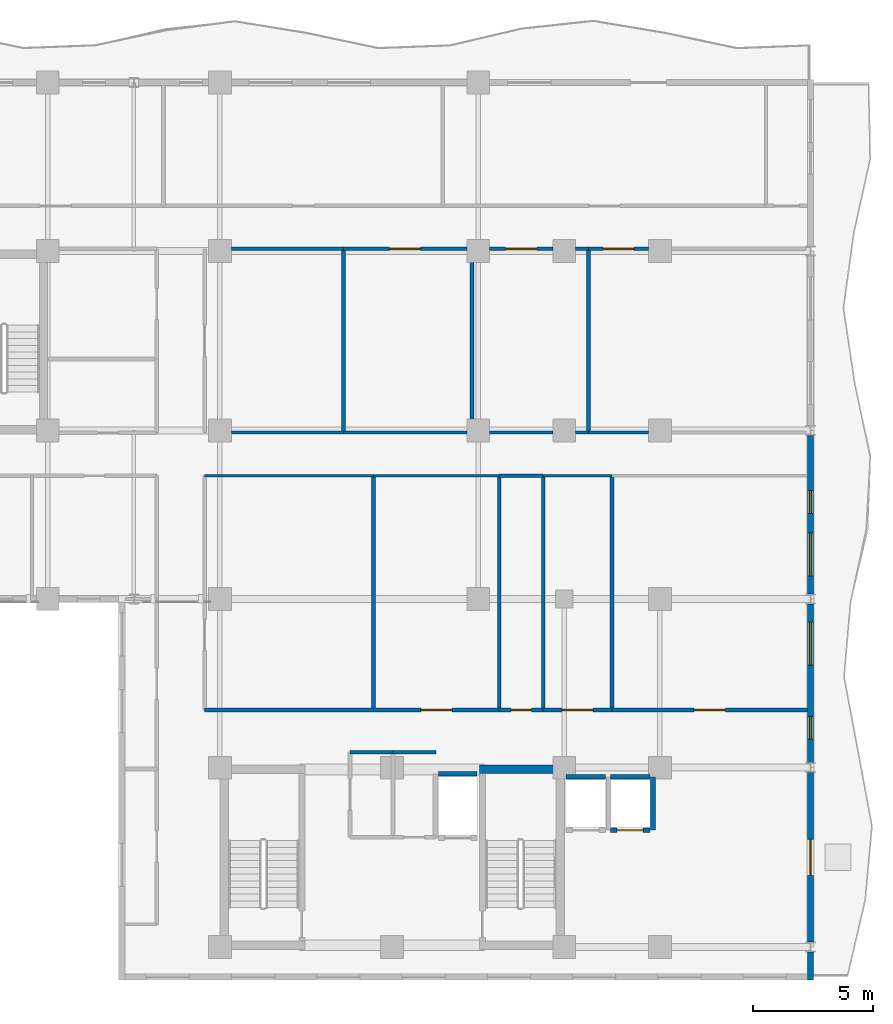
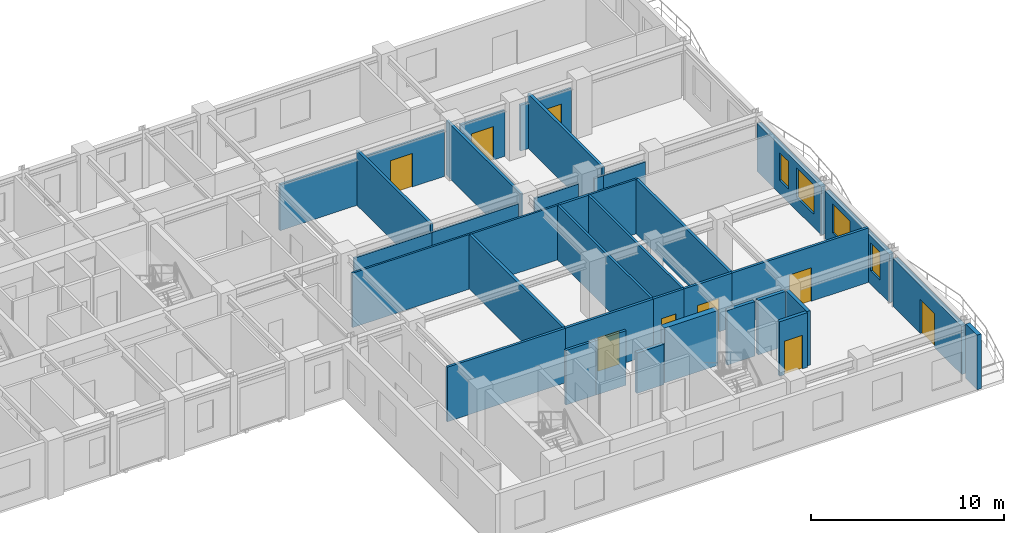
# One storey, part 8 of 14: 38 walls, 9 doors, 4 windows, 13 openings.
"""IFC4 building model written with IfcOpenShell, lengths in metres."""

from ifc_helpers import new_model, si_unit, direction, frame, frame_2d, origin, place, context, subcontext, project, spatial, rectangle, extrude, material, layer, layer_set, type_object, element, fill, save


model = new_model("IFC4")

# Units and contexts
model_context = context("Model", 3, precision=1e-05, world=origin(), true_north=direction((0.0, 1.0)))
body_context = subcontext(model_context, "Body", "Model", "MODEL_VIEW")
ifc_project = project(units=[si_unit("LENGTHUNIT", "METRE"), si_unit("AREAUNIT", "SQUARE_METRE"), si_unit("VOLUMEUNIT", "CUBIC_METRE"), si_unit("PLANEANGLEUNIT", "RADIAN"), si_unit("MASSUNIT", "GRAM", prefix="KILO")], contexts=[model_context])

# Site, building, storey
site_placement = place(None, origin())
site = spatial("IfcSite", under=ifc_project, at=site_placement, CompositionType="ELEMENT")
building_placement = place(site_placement, origin())
building = spatial("IfcBuilding", under=site, at=building_placement, Name="Kaliganga Portal Commons", CompositionType="ELEMENT")
storey_placement = place(building_placement, frame((0.0, 0.0, 220.300048828125)))
storey = spatial("IfcBuildingStorey", under=building, at=storey_placement, Name="L56", CompositionType="ELEMENT", Elevation=220.300048828125)

# Walls
ifc_material_1 = material(Name="Concrete C50/60", Category="concrete")
ifc_layer_1 = layer(ifc_material_1, 0.35009765625)
ifc_layer_set_1 = layer_set([ifc_layer_1], Name="Concrete C50/60")
wall_type_1 = type_object("IfcWallType", Name="WL-CORE-350", PredefinedType="SHEAR", material=ifc_layer_set_1)
wall_1_placement = place(storey_placement, frame((46.85009765625, 14.47509765625, 0.0), z_axis=(0.0, 0.0, 1.0), x_axis=(1.0, 0.0, 0.0)))
element("IfcWall", 1, at=wall_1_placement, inside=storey, type_object=wall_type_1, Name="Core B N-East Shear Wall L56", PredefinedType="SHEAR", context=body_context, shape_type="SweptSolid", body=[
    extrude(rectangle(XDim=3.199951171875, YDim=0.35009765625, at=frame_2d((1.60009765625, 0.0))), origin(), (0.0, 0.0, 1.0), 3.469970703125),
])
ifc_material_2 = material(Name="Insulated Aluminium-Clad Spandrel Assembly", Category="aluminium")
ifc_layer_2 = layer(ifc_material_2, 0.260009765625)
ifc_layer_set_2 = layer_set([ifc_layer_2], Name="Insulated Aluminium-Clad Spandrel Assembly")
wall_type_2 = type_object("IfcWallType", Name="WL-EXT-SPAND-260", PredefinedType="STANDARD", material=ifc_layer_set_2)
wall_2_placement = place(storey_placement, frame((60.699951171875, 6.84912109375, 0.0), z_axis=(0.0, 0.0, 1.0), x_axis=(0.0, -1.0, 0.0)))
element("IfcWall", 2, at=wall_2_placement, inside=storey, type_object=wall_type_2, Name="Exterior Envelope Wall L56 P1-E01-S1", PredefinedType="STANDARD", context=body_context, shape_type="SweptSolid", body=[
    extrude(rectangle(XDim=1.17919921875, YDim=0.260009765625, at=frame_2d((0.589599609375, 0.0))), origin(), (0.0, 0.0, 1.0), 3.449951171875),
])

# Wall, opening, door
wall_3_placement = place(storey_placement, frame((60.699951171875, 14.34912109375, 0.0), z_axis=(0.0, 0.0, 1.0), x_axis=(0.0, -1.0, 0.0)))
wall_3 = element("IfcWall", 3, at=wall_3_placement, inside=storey, type_object=wall_type_2, Name="Exterior Envelope Wall L56 P1-E01-S2", PredefinedType="STANDARD", context=body_context, shape_type="SweptSolid", body=[
    extrude(rectangle(XDim=7.09814453125, YDim=0.260009765625, at=frame_2d((3.549072265625, 0.0))), origin(), (0.0, 0.0, 1.0), 3.050048828125),
])
opening_1_placement = place(wall_3_placement, frame((2.799072265625, 0.0, 0.0)))
opening_1 = element("IfcOpeningElement", 4, at=opening_1_placement, cuts=wall_3, Name="Opening BD-01", PredefinedType="OPENING", context=body_context, shape_type="SweptSolid", body=[
    extrude(rectangle(XDim=1.5, YDim=2.14990234375, at=frame_2d((0.75, 1.074951171875))), frame((0.0, 0.14013671875, 0.0), z_axis=(0.0, -1.0, 0.0), x_axis=(1.0, 0.0, 0.0)), (0.0, 0.0, 1.0), 0.280029296875),
])
ifc_material_3 = material(Name="Anodized Aluminium and Laminated Safety Glass", Category="aluminium")
door_type_1 = type_object("IfcDoorType", Name="DR-BALC-1500", OperationType="SLIDING_TO_LEFT", PredefinedType="DOOR", material=ifc_material_3)
door_1_placement = place(opening_1_placement, origin())
door_1 = element("IfcDoor", 5, at=door_1_placement, inside=storey, type_object=door_type_1, Name="Balcony Sliding Door L56 balc_east", OperationType="SLIDING_TO_LEFT", OverallHeight=2.14990234375, OverallWidth=1.5, PredefinedType="DOOR", context=body_context, shape_type="SweptSolid", body=[
    extrude(rectangle(XDim=1.5, YDim=2.14990234375, at=frame_2d((0.75, 1.074951171875))), frame((0.0, 0.02490234375, 0.0), z_axis=(0.0, -1.0, 0.0), x_axis=(1.0, 0.0, 0.0)), (0.0, 0.0, 1.0), 0.050048828125),
])
fill(opening_1, door_1)

# Wall, openings, windows
wall_4_placement = place(storey_placement, frame((60.699951171875, 21.39892578125, 0.0), z_axis=(0.0, 0.0, 1.0), x_axis=(0.0, -1.0, 0.0)))
wall_4 = element("IfcWall", 6, at=wall_4_placement, inside=storey, type_object=wall_type_2, Name="Exterior Envelope Wall L56 P1-E01-S3", PredefinedType="STANDARD", context=body_context, shape_type="SweptSolid", body=[
    extrude(rectangle(XDim=6.64794921875, YDim=0.260009765625, at=frame_2d((3.323974609375, 0.0))), origin(), (0.0, 0.0, 1.0), 3.050048828125),
])
opening_2_placement = place(wall_4_placement, frame((0.761962890625, 0.0, 0.85009765625)))
opening_2 = element("IfcOpeningElement", 7, at=opening_2_placement, cuts=wall_4, Name="Opening W-01", PredefinedType="OPENING", context=body_context, shape_type="SweptSolid", body=[
    extrude(rectangle(XDim=1.800048828125, YDim=1.85009765625, at=frame_2d((0.89990234375, 0.925048828125))), frame((0.0, 0.14013671875, 0.0), z_axis=(0.0, -1.0, 0.0), x_axis=(1.0, 0.0, 0.0)), (0.0, 0.0, 1.0), 0.280029296875),
])
opening_3_placement = place(wall_4_placement, frame((4.71044921875, 0.0, 0.85009765625)))
opening_3 = element("IfcOpeningElement", 8, at=opening_3_placement, cuts=wall_4, Name="Opening W-04", PredefinedType="OPENING", context=body_context, shape_type="SweptSolid", body=[
    extrude(rectangle(XDim=0.949951171875, YDim=1.75, at=frame_2d((0.47509765625, 0.875))), frame((0.0, 0.14013671875, 0.0), z_axis=(0.0, -1.0, 0.0), x_axis=(1.0, 0.0, 0.0)), (0.0, 0.0, 1.0), 0.280029296875),
])
ifc_material_4 = material(Name="Thermally Broken Aluminium and Low-E Double Glazing", Category="aluminium")
window_type_1 = type_object("IfcWindowType", Name="WIN-NARROW-950", PartitioningType="SINGLE_PANEL", PredefinedType="WINDOW", material=ifc_material_4)
window_1_placement = place(opening_3_placement, origin())
window_1 = element("IfcWindow", 9, at=window_1_placement, inside=storey, type_object=window_type_1, Name="Facade Window L56-P1E01S3-N10", OverallHeight=1.75, OverallWidth=0.949951171875, PartitioningType="SINGLE_PANEL", PredefinedType="WINDOW", context=body_context, shape_type="SweptSolid", body=[
    extrude(rectangle(XDim=0.949951171875, YDim=1.75, at=frame_2d((0.47509765625, 0.875))), frame((0.0, 0.030029296875, 0.0), z_axis=(0.0, -1.0, 0.0), x_axis=(1.0, 0.0, 0.0)), (0.0, 0.0, 1.0), 0.06005859375),
])
fill(opening_3, window_1)
window_type_2 = type_object("IfcWindowType", Name="WIN-STD-1800", PartitioningType="DOUBLE_PANEL_VERTICAL", PredefinedType="WINDOW", material=ifc_material_4)
window_2_placement = place(opening_2_placement, origin())
window_2 = element("IfcWindow", 10, at=window_2_placement, inside=storey, type_object=window_type_2, Name="Facade Window L56-P1E01S3-00", OverallHeight=1.85009765625, OverallWidth=1.800048828125, PartitioningType="SINGLE_PANEL", PredefinedType="WINDOW", context=body_context, shape_type="SweptSolid", body=[
    extrude(rectangle(XDim=1.800048828125, YDim=1.85009765625, at=frame_2d((0.89990234375, 0.925048828125))), frame((0.0, 0.030029296875, 0.0), z_axis=(0.0, -1.0, 0.0), x_axis=(1.0, 0.0, 0.0)), (0.0, 0.0, 1.0), 0.06005859375),
])
fill(opening_2, window_2)

wall_5_placement = place(storey_placement, frame((60.699951171875, 28.448974609375, 0.0), z_axis=(0.0, 0.0, 1.0), x_axis=(0.0, -1.0, 0.0)))
wall_5 = element("IfcWall", 11, at=wall_5_placement, inside=storey, type_object=wall_type_2, Name="Exterior Envelope Wall L56 P1-E01-S4", PredefinedType="STANDARD", context=body_context, shape_type="SweptSolid", body=[
    extrude(rectangle(XDim=6.64794921875, YDim=0.260009765625, at=frame_2d((3.323974609375, 0.0))), origin(), (0.0, 0.0, 1.0), 3.050048828125),
])
opening_4_placement = place(wall_5_placement, frame((4.0859375, 0.0, 0.85009765625)))
opening_4 = element("IfcOpeningElement", 12, at=opening_4_placement, cuts=wall_5, Name="Opening W-01", PredefinedType="OPENING", context=body_context, shape_type="SweptSolid", body=[
    extrude(rectangle(XDim=1.800048828125, YDim=1.85009765625, at=frame_2d((0.89990234375, 0.925048828125))), frame((0.0, 0.14013671875, 0.0), z_axis=(0.0, -1.0, 0.0), x_axis=(1.0, 0.0, 0.0)), (0.0, 0.0, 1.0), 0.280029296875),
])
opening_5_placement = place(wall_5_placement, frame((2.317138671875, 0.0, 0.85009765625)))
opening_5 = element("IfcOpeningElement", 13, at=opening_5_placement, cuts=wall_5, Name="Opening W-04", PredefinedType="OPENING", context=body_context, shape_type="SweptSolid", body=[
    extrude(rectangle(XDim=0.949951171875, YDim=1.75, at=frame_2d((0.47509765625, 0.875))), frame((0.0, 0.14013671875, 0.0), z_axis=(0.0, -1.0, 0.0), x_axis=(1.0, 0.0, 0.0)), (0.0, 0.0, 1.0), 0.280029296875),
])
window_3_placement = place(opening_5_placement, origin())
window_3 = element("IfcWindow", 14, at=window_3_placement, inside=storey, type_object=window_type_1, Name="Facade Window L56-P1E01S4-N5", OverallHeight=1.75, OverallWidth=0.949951171875, PartitioningType="SINGLE_PANEL", PredefinedType="WINDOW", context=body_context, shape_type="SweptSolid", body=[
    extrude(rectangle(XDim=0.949951171875, YDim=1.75, at=frame_2d((0.47509765625, 0.875))), frame((0.0, 0.030029296875, 0.0), z_axis=(0.0, -1.0, 0.0), x_axis=(1.0, 0.0, 0.0)), (0.0, 0.0, 1.0), 0.06005859375),
])
fill(opening_5, window_3)
window_4_placement = place(opening_4_placement, origin())
window_4 = element("IfcWindow", 15, at=window_4_placement, inside=storey, type_object=window_type_2, Name="Facade Window L56-P1E01S4-01", OverallHeight=1.85009765625, OverallWidth=1.800048828125, PartitioningType="SINGLE_PANEL", PredefinedType="WINDOW", context=body_context, shape_type="SweptSolid", body=[
    extrude(rectangle(XDim=1.800048828125, YDim=1.85009765625, at=frame_2d((0.89990234375, 0.925048828125))), frame((0.0, 0.030029296875, 0.0), z_axis=(0.0, -1.0, 0.0), x_axis=(1.0, 0.0, 0.0)), (0.0, 0.0, 1.0), 0.06005859375),
])
fill(opening_4, window_4)

# Wall, opening, door
ifc_material_5 = material(Name="Fire-Rated Gypsum Board on Steel Stud", Category="steel")
ifc_layer_3 = layer(ifc_material_5, 0.14990234375)
ifc_layer_set_3 = layer_set([ifc_layer_3], Name="Fire-Rated Gypsum Board on Steel Stud")
wall_type_3 = type_object("IfcWallType", Name="WL-PART-CORR-150", PredefinedType="PARTITIONING", material=ifc_layer_set_3)
wall_6_placement = place(storey_placement, frame((51.419921875, 36.239990234375, 0.0), z_axis=(0.0, 0.0, 1.0), x_axis=(1.0, 0.0, 0.0)))
wall_6 = element("IfcWall", 16, at=wall_6_placement, inside=storey, type_object=wall_type_3, Name="Interior Partition L56-009", PredefinedType="PARTITIONING", context=body_context, shape_type="SweptSolid", body=[
    extrude(rectangle(XDim=2.505126953125, YDim=0.14990234375, at=frame_2d((1.25244140625, 0.0))), origin(), (0.0, 0.0, 1.0), 2.89990234375),
])
opening_6_placement = place(wall_6_placement, frame((0.6025390625, 0.0, 0.0)))
opening_6 = element("IfcOpeningElement", 17, at=opening_6_placement, cuts=wall_6, Name="Opening RD-03", PredefinedType="OPENING", context=body_context, shape_type="SweptSolid", body=[
    extrude(rectangle(XDim=1.300048828125, YDim=2.1201171875, at=frame_2d((0.64990234375, 1.06005859375))), frame((0.0, 0.0849609375, 0.0), z_axis=(0.0, -1.0, 0.0), x_axis=(1.0, 0.0, 0.0)), (0.0, 0.0, 1.0), 0.169921875),
])
ifc_material_6 = material(Name="Glazed Timber Seminar Vision Door", Category="wood")
door_type_2 = type_object("IfcDoorType", Name="DR-STUDY-1300", OperationType="DOUBLE_DOOR_SINGLE_SWING", PredefinedType="DOOR", material=ifc_material_6)
door_2_placement = place(opening_6_placement, origin())
door_2 = element("IfcDoor", 18, at=door_2_placement, inside=storey, type_object=door_type_2, Name="Interior Door L56-BK04", OperationType="DOUBLE_DOOR_SINGLE_SWING", OverallHeight=2.1201171875, OverallWidth=1.300048828125, PredefinedType="DOOR", context=body_context, shape_type="SweptSolid", body=[
    extrude(rectangle(XDim=1.300048828125, YDim=2.1201171875, at=frame_2d((0.64990234375, 1.06005859375))), frame((0.0, 0.02490234375, 0.0), z_axis=(0.0, -1.0, 0.0), x_axis=(1.0, 0.0, 0.0)), (0.0, 0.0, 1.0), 0.050048828125),
])
fill(opening_6, door_2)

wall_7_placement = place(storey_placement, frame((52.39990234375, 16.9599609375, 0.0), z_axis=(0.0, 0.0, 1.0), x_axis=(1.0, 0.0, 0.0)))
wall_7 = element("IfcWall", 19, at=wall_7_placement, inside=storey, type_object=wall_type_3, Name="Interior Partition L56-012", PredefinedType="PARTITIONING", context=body_context, shape_type="SweptSolid", body=[
    extrude(rectangle(XDim=8.168212890625, YDim=0.14990234375, at=frame_2d((4.083984375, 0.0))), origin(), (0.0, 0.0, 1.0), 3.449951171875),
])
opening_7_placement = place(wall_7_placement, frame((3.43408203125, 0.0, 0.0)))
opening_7 = element("IfcOpeningElement", 20, at=opening_7_placement, cuts=wall_7, Name="Opening RD-03", PredefinedType="OPENING", context=body_context, shape_type="SweptSolid", body=[
    extrude(rectangle(XDim=1.300048828125, YDim=2.1201171875, at=frame_2d((0.64990234375, 1.06005859375))), frame((0.0, 0.0849609375, 0.0), z_axis=(0.0, -1.0, 0.0), x_axis=(1.0, 0.0, 0.0)), (0.0, 0.0, 1.0), 0.169921875),
])
door_3_placement = place(opening_7_placement, origin())
door_3 = element("IfcDoor", 21, at=door_3_placement, inside=storey, type_object=door_type_2, Name="Interior Door L56-BM04B", OperationType="DOUBLE_DOOR_SINGLE_SWING", OverallHeight=2.1201171875, OverallWidth=1.300048828125, PredefinedType="DOOR", context=body_context, shape_type="SweptSolid", body=[
    extrude(rectangle(XDim=1.300048828125, YDim=2.1201171875, at=frame_2d((0.64990234375, 1.06005859375))), frame((0.0, 0.02490234375, 0.0), z_axis=(0.0, -1.0, 0.0), x_axis=(1.0, 0.0, 0.0)), (0.0, 0.0, 1.0), 0.050048828125),
])
fill(opening_7, door_3)

# Walls
wall_8_placement = place(storey_placement, frame((35.360107421875, 16.9599609375, 0.0), z_axis=(0.0, 0.0, 1.0), x_axis=(1.0, 0.0, 0.0)))
element("IfcWall", 22, at=wall_8_placement, inside=storey, type_object=wall_type_3, Name="Interior Partition L56-016", PredefinedType="PARTITIONING", context=body_context, shape_type="SweptSolid", body=[
    extrude(rectangle(XDim=7.059814453125, YDim=0.14990234375, at=frame_2d((3.52978515625, 0.0))), origin(), (0.0, 0.0, 1.0), 3.449951171875),
])
wall_9_placement = place(storey_placement, frame((36.47509765625, 36.239990234375, 0.0), z_axis=(0.0, 0.0, 1.0), x_axis=(1.0, 0.0, 0.0)))
element("IfcWall", 23, at=wall_9_placement, inside=storey, type_object=wall_type_3, Name="Interior Partition L56-020", PredefinedType="PARTITIONING", context=body_context, shape_type="SweptSolid", body=[
    extrude(rectangle(XDim=4.684814453125, YDim=0.14990234375, at=frame_2d((2.34228515625, 0.0))), origin(), (0.0, 0.0, 1.0), 2.89990234375),
])

# Wall, opening, door
wall_10_placement = place(storey_placement, frame((41.159912109375, 36.239990234375, 0.0), z_axis=(0.0, 0.0, 1.0), x_axis=(1.0, 0.0, 0.0)))
wall_10 = element("IfcWall", 24, at=wall_10_placement, inside=storey, type_object=wall_type_3, Name="Interior Partition L56-022", PredefinedType="PARTITIONING", context=body_context, shape_type="SweptSolid", body=[
    extrude(rectangle(XDim=5.1650390625, YDim=0.14990234375, at=frame_2d((2.58251953125, 0.0))), origin(), (0.0, 0.0, 1.0), 2.89990234375),
])
opening_8_placement = place(wall_10_placement, frame((1.9326171875, 0.0, 0.0)))
opening_8 = element("IfcOpeningElement", 25, at=opening_8_placement, cuts=wall_10, Name="Opening RD-03", PredefinedType="OPENING", context=body_context, shape_type="SweptSolid", body=[
    extrude(rectangle(XDim=1.300048828125, YDim=2.1201171875, at=frame_2d((0.64990234375, 1.06005859375))), frame((0.0, 0.0849609375, 0.0), z_axis=(0.0, -1.0, 0.0), x_axis=(1.0, 0.0, 0.0)), (0.0, 0.0, 1.0), 0.169921875),
])
door_4_placement = place(opening_8_placement, origin())
door_4 = element("IfcDoor", 26, at=door_4_placement, inside=storey, type_object=door_type_2, Name="Interior Door L56-BK02", OperationType="DOUBLE_DOOR_SINGLE_SWING", OverallHeight=2.1201171875, OverallWidth=1.300048828125, PredefinedType="DOOR", context=body_context, shape_type="SweptSolid", body=[
    extrude(rectangle(XDim=1.300048828125, YDim=2.1201171875, at=frame_2d((0.64990234375, 1.06005859375))), frame((0.0, 0.02490234375, 0.0), z_axis=(0.0, -1.0, 0.0), x_axis=(1.0, 0.0, 0.0)), (0.0, 0.0, 1.0), 0.050048828125),
])
fill(opening_8, door_4)

wall_11_placement = place(storey_placement, frame((42.419921875, 16.9599609375, 0.0), z_axis=(0.0, 0.0, 1.0), x_axis=(1.0, 0.0, 0.0)))
wall_11 = element("IfcWall", 27, at=wall_11_placement, inside=storey, type_object=wall_type_3, Name="Interior Partition L56-023", PredefinedType="PARTITIONING", context=body_context, shape_type="SweptSolid", body=[
    extrude(rectangle(XDim=5.260009765625, YDim=0.14990234375, at=frame_2d((2.6298828125, 0.0))), origin(), (0.0, 0.0, 1.0), 3.449951171875),
])
opening_9_placement = place(wall_11_placement, frame((1.97998046875, 0.0, 0.0)))
opening_9 = element("IfcOpeningElement", 28, at=opening_9_placement, cuts=wall_11, Name="Opening RD-03", PredefinedType="OPENING", context=body_context, shape_type="SweptSolid", body=[
    extrude(rectangle(XDim=1.300048828125, YDim=2.1201171875, at=frame_2d((0.64990234375, 1.06005859375))), frame((0.0, 0.0849609375, 0.0), z_axis=(0.0, -1.0, 0.0), x_axis=(1.0, 0.0, 0.0)), (0.0, 0.0, 1.0), 0.169921875),
])
door_5_placement = place(opening_9_placement, origin())
door_5 = element("IfcDoor", 29, at=door_5_placement, inside=storey, type_object=door_type_2, Name="Interior Door L56-BM02", OperationType="DOUBLE_DOOR_SINGLE_SWING", OverallHeight=2.1201171875, OverallWidth=1.300048828125, PredefinedType="DOOR", context=body_context, shape_type="SweptSolid", body=[
    extrude(rectangle(XDim=1.300048828125, YDim=2.1201171875, at=frame_2d((0.64990234375, 1.06005859375))), frame((0.0, 0.02490234375, 0.0), z_axis=(0.0, -1.0, 0.0), x_axis=(1.0, 0.0, 0.0)), (0.0, 0.0, 1.0), 0.050048828125),
])
fill(opening_9, door_5)

wall_12_placement = place(storey_placement, frame((47.27490234375, 36.239990234375, 0.0), z_axis=(0.0, 0.0, 1.0), x_axis=(1.0, 0.0, 0.0)))
wall_12 = element("IfcWall", 30, at=wall_12_placement, inside=storey, type_object=wall_type_3, Name="Interior Partition L56-026", PredefinedType="PARTITIONING", context=body_context, shape_type="SweptSolid", body=[
    extrude(rectangle(XDim=2.650146484375, YDim=0.14990234375, at=frame_2d((1.3251953125, 0.0))), origin(), (0.0, 0.0, 1.0), 2.89990234375),
])
opening_10_placement = place(wall_12_placement, frame((0.675048828125, 0.0, 0.0)))
opening_10 = element("IfcOpeningElement", 31, at=opening_10_placement, cuts=wall_12, Name="Opening RD-03", PredefinedType="OPENING", context=body_context, shape_type="SweptSolid", body=[
    extrude(rectangle(XDim=1.300048828125, YDim=2.1201171875, at=frame_2d((0.64990234375, 1.06005859375))), frame((0.0, 0.0849609375, 0.0), z_axis=(0.0, -1.0, 0.0), x_axis=(1.0, 0.0, 0.0)), (0.0, 0.0, 1.0), 0.169921875),
])
door_6_placement = place(opening_10_placement, origin())
door_6 = element("IfcDoor", 32, at=door_6_placement, inside=storey, type_object=door_type_2, Name="Interior Door L56-BK03", OperationType="DOUBLE_DOOR_SINGLE_SWING", OverallHeight=2.1201171875, OverallWidth=1.300048828125, PredefinedType="DOOR", context=body_context, shape_type="SweptSolid", body=[
    extrude(rectangle(XDim=1.300048828125, YDim=2.1201171875, at=frame_2d((0.64990234375, 1.06005859375))), frame((0.0, 0.02490234375, 0.0), z_axis=(0.0, -1.0, 0.0), x_axis=(1.0, 0.0, 0.0)), (0.0, 0.0, 1.0), 0.050048828125),
])
fill(opening_10, door_6)

# Wall
wall_13_placement = place(storey_placement, frame((50.875, 36.239990234375, 0.0), z_axis=(0.0, 0.0, 1.0), x_axis=(1.0, 0.0, 0.0)))
element("IfcWall", 33, at=wall_13_placement, inside=storey, type_object=wall_type_3, Name="Interior Partition L56-027", PredefinedType="PARTITIONING", context=body_context, shape_type="SweptSolid", body=[
    extrude(rectangle(XDim=0.544921875, YDim=0.14990234375, at=frame_2d((0.2724609375, 0.0))), origin(), (0.0, 0.0, 1.0), 2.89990234375),
])

# Wall, opening, door
wall_14_placement = place(storey_placement, frame((49.52001953125, 16.9599609375, 0.0), z_axis=(0.0, 0.0, 1.0), x_axis=(1.0, 0.0, 0.0)))
wall_14 = element("IfcWall", 34, at=wall_14_placement, inside=storey, type_object=wall_type_3, Name="Interior Partition L56-034", PredefinedType="PARTITIONING", context=body_context, shape_type="SweptSolid", body=[
    extrude(rectangle(XDim=2.8798828125, YDim=0.14990234375, at=frame_2d((1.43994140625, 0.0))), origin(), (0.0, 0.0, 1.0), 3.449951171875),
])
opening_11_placement = place(wall_14_placement, frame((0.7900390625, 0.0, 0.0)))
opening_11 = element("IfcOpeningElement", 35, at=opening_11_placement, cuts=wall_14, Name="Opening RD-03", PredefinedType="OPENING", context=body_context, shape_type="SweptSolid", body=[
    extrude(rectangle(XDim=1.300048828125, YDim=2.1201171875, at=frame_2d((0.64990234375, 1.06005859375))), frame((0.0, 0.0849609375, 0.0), z_axis=(0.0, -1.0, 0.0), x_axis=(1.0, 0.0, 0.0)), (0.0, 0.0, 1.0), 0.169921875),
])
door_7_placement = place(opening_11_placement, origin())
door_7 = element("IfcDoor", 36, at=door_7_placement, inside=storey, type_object=door_type_2, Name="Interior Door L56-BM04", OperationType="DOUBLE_DOOR_SINGLE_SWING", OverallHeight=2.1201171875, OverallWidth=1.300048828125, PredefinedType="DOOR", context=body_context, shape_type="SweptSolid", body=[
    extrude(rectangle(XDim=1.300048828125, YDim=2.1201171875, at=frame_2d((0.64990234375, 1.06005859375))), frame((0.0, 0.02490234375, 0.0), z_axis=(0.0, -1.0, 0.0), x_axis=(1.0, 0.0, 0.0)), (0.0, 0.0, 1.0), 0.050048828125),
])
fill(opening_11, door_7)

wall_15_placement = place(storey_placement, frame((47.679931640625, 16.9599609375, 0.0), z_axis=(0.0, 0.0, 1.0), x_axis=(1.0, 0.0, 0.0)))
wall_15 = element("IfcWall", 37, at=wall_15_placement, inside=storey, type_object=wall_type_3, Name="Interior Partition L56-043", PredefinedType="PARTITIONING", context=body_context, shape_type="SweptSolid", body=[
    extrude(rectangle(XDim=1.840087890625, YDim=0.14990234375, at=frame_2d((0.919921875, 0.0))), origin(), (0.0, 0.0, 1.0), 3.449951171875),
])
opening_12_placement = place(wall_15_placement, frame((0.4951171875, 0.0, 0.0)))
opening_12 = element("IfcOpeningElement", 38, at=opening_12_placement, cuts=wall_15, Name="Opening WD-01", PredefinedType="OPENING", context=body_context, shape_type="SweptSolid", body=[
    extrude(rectangle(XDim=0.85009765625, YDim=2.0400390625, at=frame_2d((0.425048828125, 1.02001953125))), frame((0.0, 0.0849609375, 0.0), z_axis=(0.0, -1.0, 0.0), x_axis=(1.0, 0.0, 0.0)), (0.0, 0.0, 1.0), 0.169921875),
])
ifc_material_7 = material(Name="Moisture-Resistant Laminate Timber Door", Category="wood")
door_type_3 = type_object("IfcDoorType", Name="DR-WET-850", OperationType="NOTDEFINED", PredefinedType="DOOR", material=ifc_material_7)
door_8_placement = place(opening_12_placement, origin())
door_8 = element("IfcDoor", 39, at=door_8_placement, inside=storey, type_object=door_type_3, Name="Interior Door L56-BM03", OperationType="SINGLE_SWING_LEFT", OverallHeight=2.0400390625, OverallWidth=0.85009765625, PredefinedType="DOOR", context=body_context, shape_type="SweptSolid", body=[
    extrude(rectangle(XDim=0.85009765625, YDim=2.0400390625, at=frame_2d((0.425048828125, 1.02001953125))), frame((0.0, 0.02490234375, 0.0), z_axis=(0.0, -1.0, 0.0), x_axis=(1.0, 0.0, 0.0)), (0.0, 0.0, 1.0), 0.050048828125),
])
fill(opening_12, door_8)

# Walls
for number, where, z_axis, x_axis, name in (
    (40, (41.43994140625, 15.199951171875, 0.0), (0.0, 0.0, 1.0), (1.0, 0.0, 0.0), "Interior Partition L56-045"),
    (41, (43.239990234375, 15.199951171875, 0.0), (0.0, 0.0, 1.0), (1.0, 0.0, 0.0), "Interior Partition L56-047"),
):
    element("IfcWall", number, at=place(storey_placement, frame(where, z_axis=z_axis, x_axis=x_axis)), inside=storey, type_object=wall_type_3, Name=name, PredefinedType="PARTITIONING", context=body_context, shape_type="SweptSolid", body=[
        extrude(rectangle(XDim=1.800048828125, YDim=0.14990234375, at=frame_2d((0.89990234375, 0.0))), origin(), (0.0, 0.0, 1.0), 3.449951171875),
    ])
ifc_material_8 = material(Name="Moisture-Resistant Gypsum Partition", Category="gypsum")
ifc_layer_4 = layer(ifc_material_8, 0.114990234375)
ifc_layer_set_4 = layer_set([ifc_layer_4], Name="Moisture-Resistant Gypsum Partition")
wall_type_4 = type_object("IfcWallType", Name="WL-PART-ROOM-115", PredefinedType="PARTITIONING", material=ifc_layer_set_4)
wall_16_placement = place(storey_placement, frame((51.419921875, 28.56005859375, 0.0), z_axis=(0.0, 0.0, 1.0), x_axis=(1.0, 0.0, 0.0)))
element("IfcWall", 42, at=wall_16_placement, inside=storey, type_object=wall_type_4, Name="Interior Partition L56-053", PredefinedType="PARTITIONING", context=body_context, shape_type="SweptSolid", body=[
    extrude(rectangle(XDim=2.505126953125, YDim=0.114990234375, at=frame_2d((1.25244140625, 0.0))), origin(), (0.0, 0.0, 1.0), 2.89990234375),
])
wall_17_placement = place(storey_placement, frame((35.360107421875, 26.760009765625, 0.0), z_axis=(0.0, 0.0, 1.0), x_axis=(1.0, 0.0, 0.0)))
element("IfcWall", 43, at=wall_17_placement, inside=storey, type_object=wall_type_4, Name="Interior Partition L56-059", PredefinedType="PARTITIONING", context=body_context, shape_type="SweptSolid", body=[
    extrude(rectangle(XDim=7.059814453125, YDim=0.114990234375, at=frame_2d((3.52978515625, 0.0))), origin(), (0.0, 0.0, 1.0), 3.449951171875),
])
wall_18_placement = place(storey_placement, frame((36.47509765625, 28.56005859375, 0.0), z_axis=(0.0, 0.0, 1.0), x_axis=(1.0, 0.0, 0.0)))
element("IfcWall", 44, at=wall_18_placement, inside=storey, type_object=wall_type_4, Name="Interior Partition L56-060", PredefinedType="PARTITIONING", context=body_context, shape_type="SweptSolid", body=[
    extrude(rectangle(XDim=4.684814453125, YDim=0.114990234375, at=frame_2d((2.34228515625, 0.0))), origin(), (0.0, 0.0, 1.0), 2.89990234375),
])
wall_19_placement = place(storey_placement, frame((41.159912109375, 28.56005859375, 0.0), z_axis=(0.0, 0.0, 1.0), x_axis=(1.0, 0.0, 0.0)))
element("IfcWall", 45, at=wall_19_placement, inside=storey, type_object=wall_type_4, Name="Interior Partition L56-061", PredefinedType="PARTITIONING", context=body_context, shape_type="SweptSolid", body=[
    extrude(rectangle(XDim=5.1650390625, YDim=0.114990234375, at=frame_2d((2.58251953125, 0.0))), origin(), (0.0, 0.0, 1.0), 2.89990234375),
])
wall_20_placement = place(storey_placement, frame((42.419921875, 26.760009765625, 0.0), z_axis=(0.0, 0.0, 1.0), x_axis=(1.0, 0.0, 0.0)))
element("IfcWall", 46, at=wall_20_placement, inside=storey, type_object=wall_type_4, Name="Interior Partition L56-062", PredefinedType="PARTITIONING", context=body_context, shape_type="SweptSolid", body=[
    extrude(rectangle(XDim=5.260009765625, YDim=0.114990234375, at=frame_2d((2.6298828125, 0.0))), origin(), (0.0, 0.0, 1.0), 3.449951171875),
])
wall_21_placement = place(storey_placement, frame((47.27490234375, 28.56005859375, 0.0), z_axis=(0.0, 0.0, 1.0), x_axis=(1.0, 0.0, 0.0)))
element("IfcWall", 47, at=wall_21_placement, inside=storey, type_object=wall_type_4, Name="Interior Partition L56-072", PredefinedType="PARTITIONING", context=body_context, shape_type="SweptSolid", body=[
    extrude(rectangle(XDim=2.650146484375, YDim=0.114990234375, at=frame_2d((1.3251953125, 0.0))), origin(), (0.0, 0.0, 1.0), 2.89990234375),
])
wall_22_placement = place(storey_placement, frame((50.875, 28.56005859375, 0.0), z_axis=(0.0, 0.0, 1.0), x_axis=(1.0, 0.0, 0.0)))
element("IfcWall", 48, at=wall_22_placement, inside=storey, type_object=wall_type_4, Name="Interior Partition L56-073", PredefinedType="PARTITIONING", context=body_context, shape_type="SweptSolid", body=[
    extrude(rectangle(XDim=0.544921875, YDim=0.114990234375, at=frame_2d((0.2724609375, 0.0))), origin(), (0.0, 0.0, 1.0), 2.89990234375),
])
wall_23_placement = place(storey_placement, frame((49.52001953125, 26.760009765625, 0.0), z_axis=(0.0, 0.0, 1.0), x_axis=(1.0, 0.0, 0.0)))
element("IfcWall", 49, at=wall_23_placement, inside=storey, type_object=wall_type_4, Name="Interior Partition L56-077", PredefinedType="PARTITIONING", context=body_context, shape_type="SweptSolid", body=[
    extrude(rectangle(XDim=2.8798828125, YDim=0.114990234375, at=frame_2d((1.43994140625, 0.0))), origin(), (0.0, 0.0, 1.0), 3.449951171875),
])
ifc_material_9 = material(Name="Twin-Stud Acoustic Gypsum Partition", Category="gypsum")
ifc_layer_5 = layer(ifc_material_9, 0.1650390625)
ifc_layer_set_5 = layer_set([ifc_layer_5], Name="Twin-Stud Acoustic Gypsum Partition")
wall_type_5 = type_object("IfcWallType", Name="WL-PART-UNIT-165", PredefinedType="PARTITIONING", material=ifc_layer_set_5)
for number, where, z_axis, x_axis, name in (
    (50, (42.419921875, 16.9599609375, 0.0), (0.0, 0.0, 1.0), (0.0, 1.0, 0.0), "Interior Partition L56-049"),
    (51, (52.39990234375, 16.9599609375, 0.0), (0.0, 0.0, 1.0), (0.0, 1.0, 0.0), "Interior Partition L56-052"),
):
    element("IfcWall", number, at=place(storey_placement, frame(where, z_axis=z_axis, x_axis=x_axis)), inside=storey, type_object=wall_type_5, Name=name, PredefinedType="PARTITIONING", context=body_context, shape_type="SweptSolid", body=[
        extrude(rectangle(XDim=9.800048828125, YDim=0.1650390625, at=frame_2d((4.89990234375, 0.0))), origin(), (0.0, 0.0, 1.0), 3.449951171875),
    ])
for number, where, z_axis, x_axis, name in (
    (52, (41.159912109375, 28.56005859375, 0.0), (0.0, 0.0, 1.0), (0.0, 1.0, 0.0), "Interior Partition L56-056"),
    (53, (46.5400390625, 28.56005859375, 0.0), (0.0, 0.0, 1.0), (0.0, 1.0, 0.0), "Interior Partition L56-057"),
    (54, (51.419921875, 28.56005859375, 0.0), (0.0, 0.0, 1.0), (0.0, 1.0, 0.0), "Interior Partition L56-058"),
):
    element("IfcWall", number, at=place(storey_placement, frame(where, z_axis=z_axis, x_axis=x_axis)), inside=storey, type_object=wall_type_5, Name=name, PredefinedType="PARTITIONING", context=body_context, shape_type="SweptSolid", body=[
        extrude(rectangle(XDim=7.679931640625, YDim=0.1650390625, at=frame_2d((3.83984375, 0.0))), origin(), (0.0, 0.0, 1.0), 3.449951171875),
    ])
ifc_material_10 = material(Name="Cement-Board Wet-Room Partition", Category="gypsum")
ifc_layer_6 = layer(ifc_material_10, 0.135009765625)
ifc_layer_set_6 = layer_set([ifc_layer_6], Name="Cement-Board Wet-Room Partition")
wall_type_6 = type_object("IfcWallType", Name="WL-PART-WET-135", PredefinedType="PARTITIONING", material=ifc_layer_set_6)
for number, where, z_axis, x_axis, name in (
    (55, (47.679931640625, 16.9599609375, 0.0), (0.0, 0.0, 1.0), (0.0, 1.0, 0.0), "Interior Partition L56-050"),
    (56, (49.52001953125, 16.9599609375, 0.0), (0.0, 0.0, 1.0), (0.0, 1.0, 0.0), "Interior Partition L56-051"),
):
    element("IfcWall", number, at=place(storey_placement, frame(where, z_axis=z_axis, x_axis=x_axis)), inside=storey, type_object=wall_type_6, Name=name, PredefinedType="PARTITIONING", context=body_context, shape_type="SweptSolid", body=[
        extrude(rectangle(XDim=9.800048828125, YDim=0.135009765625, at=frame_2d((4.89990234375, 0.0))), origin(), (0.0, 0.0, 1.0), 3.449951171875),
    ])
wall_24_placement = place(storey_placement, frame((47.679931640625, 26.760009765625, 0.0), z_axis=(0.0, 0.0, 1.0), x_axis=(1.0, 0.0, 0.0)))
element("IfcWall", 57, at=wall_24_placement, inside=storey, type_object=wall_type_6, Name="Interior Partition L56-079", PredefinedType="PARTITIONING", context=body_context, shape_type="SweptSolid", body=[
    extrude(rectangle(XDim=1.840087890625, YDim=0.135009765625, at=frame_2d((0.919921875, 0.0))), origin(), (0.0, 0.0, 1.0), 3.449951171875),
])
ifc_material_11 = material(Name="Fire-Rated Shaftwall Masonry Assembly", Category="masonry")
ifc_layer_7 = layer(ifc_material_11, 0.199951171875)
ifc_layer_set_7 = layer_set([ifc_layer_7], Name="Fire-Rated Shaftwall Masonry Assembly")
wall_type_7 = type_object("IfcWallType", Name="WL-SHAFT-200", PredefinedType="PARTITIONING", material=ifc_layer_set_7)
wall_25_placement = place(storey_placement, frame((50.47509765625, 14.1650390625, 0.0), z_axis=(0.0, 0.0, 1.0), x_axis=(1.0, 0.0, 0.0)))
element("IfcWall", 58, at=wall_25_placement, inside=storey, type_object=wall_type_7, Name="Lift PL-B3 Hoistway Shaft Wall L56-N", PredefinedType="PARTITIONING", context=body_context, shape_type="SweptSolid", body=[
    extrude(rectangle(XDim=1.64990234375, YDim=0.199951171875, at=frame_2d((0.824951171875, 0.0))), origin(), (0.0, 0.0, 1.0), 3.449951171875),
])

# Wall, opening, door
wall_26_placement = place(storey_placement, frame((52.324951171875, 11.93505859375, 0.0), z_axis=(0.0, 0.0, 1.0), x_axis=(1.0, 0.0, 0.0)))
wall_26 = element("IfcWall", 59, at=wall_26_placement, inside=storey, type_object=wall_type_7, Name="Lift PL-B4 Hoistway Shaft Wall L56-S", PredefinedType="PARTITIONING", context=body_context, shape_type="SweptSolid", body=[
    extrude(rectangle(XDim=1.650146484375, YDim=0.199951171875, at=frame_2d((0.8251953125, 0.0))), origin(), (0.0, 0.0, 1.0), 3.449951171875),
])
opening_13_placement = place(wall_26_placement, frame((0.27490234375, 0.0, 0.0)))
opening_13 = element("IfcOpeningElement", 60, at=opening_13_placement, cuts=wall_26, Name="Opening LD-01", PredefinedType="OPENING", context=body_context, shape_type="SweptSolid", body=[
    extrude(rectangle(XDim=1.10009765625, YDim=2.1201171875, at=frame_2d((0.550048828125, 1.06005859375))), frame((0.0, 0.10986328125, 0.0), z_axis=(0.0, -1.0, 0.0), x_axis=(1.0, 0.0, 0.0)), (0.0, 0.0, 1.0), 0.219970703125),
])
ifc_material_12 = material(Name="Brushed Stainless Steel 316 Lift Landing Door", Category="steel")
door_type_4 = type_object("IfcDoorType", Name="DR-LIFT-1100", OperationType="SLIDING_TO_LEFT", PredefinedType="DOOR", material=ifc_material_12)
door_9_placement = place(opening_13_placement, origin())
door_9 = element("IfcDoor", 61, at=door_9_placement, inside=storey, type_object=door_type_4, Name="Lift PL-B4 Sliding Landing Door L56", OperationType="SLIDING_TO_LEFT", OverallHeight=2.1201171875, OverallWidth=1.10009765625, PredefinedType="DOOR", context=body_context, shape_type="SweptSolid", body=[
    extrude(rectangle(XDim=1.10009765625, YDim=2.1201171875, at=frame_2d((0.550048828125, 1.06005859375))), frame((0.0, 0.02490234375, 0.0), z_axis=(0.0, -1.0, 0.0), x_axis=(1.0, 0.0, 0.0)), (0.0, 0.0, 1.0), 0.050048828125),
])
fill(opening_13, door_9)

# Walls
wall_27_placement = place(storey_placement, frame((52.324951171875, 14.1650390625, 0.0), z_axis=(0.0, 0.0, 1.0), x_axis=(1.0, 0.0, 0.0)))
element("IfcWall", 62, at=wall_27_placement, inside=storey, type_object=wall_type_7, Name="Lift PL-B4 Hoistway Shaft Wall L56-N", PredefinedType="PARTITIONING", context=body_context, shape_type="SweptSolid", body=[
    extrude(rectangle(XDim=1.650146484375, YDim=0.199951171875, at=frame_2d((0.8251953125, 0.0))), origin(), (0.0, 0.0, 1.0), 3.449951171875),
])
wall_28_placement = place(storey_placement, frame((54.114990234375, 11.93505859375, 0.0), z_axis=(0.0, 0.0, 1.0), x_axis=(0.0, 1.0, 0.0)))
element("IfcWall", 63, at=wall_28_placement, inside=storey, type_object=wall_type_7, Name="Lift PL-B4 Hoistway Shaft Wall L56-E", PredefinedType="PARTITIONING", context=body_context, shape_type="SweptSolid", body=[
    extrude(rectangle(XDim=2.22998046875, YDim=0.199951171875, at=frame_2d((1.114990234375, 0.0))), origin(), (0.0, 0.0, 1.0), 3.449951171875),
])
wall_29_placement = place(storey_placement, frame((45.14990234375, 14.2900390625, 0.0), z_axis=(0.0, 0.0, 1.0), x_axis=(1.0, 0.0, 0.0)))
element("IfcWall", 64, at=wall_29_placement, inside=storey, type_object=wall_type_7, Name="Lift SL-B1 Hoistway Shaft Wall L56-N", PredefinedType="PARTITIONING", context=body_context, shape_type="SweptSolid", body=[
    extrude(rectangle(XDim=1.60009765625, YDim=0.199951171875, at=frame_2d((0.800048828125, 0.0))), origin(), (0.0, 0.0, 1.0), 2.550048828125),
])

save(model, "model.ifc")
